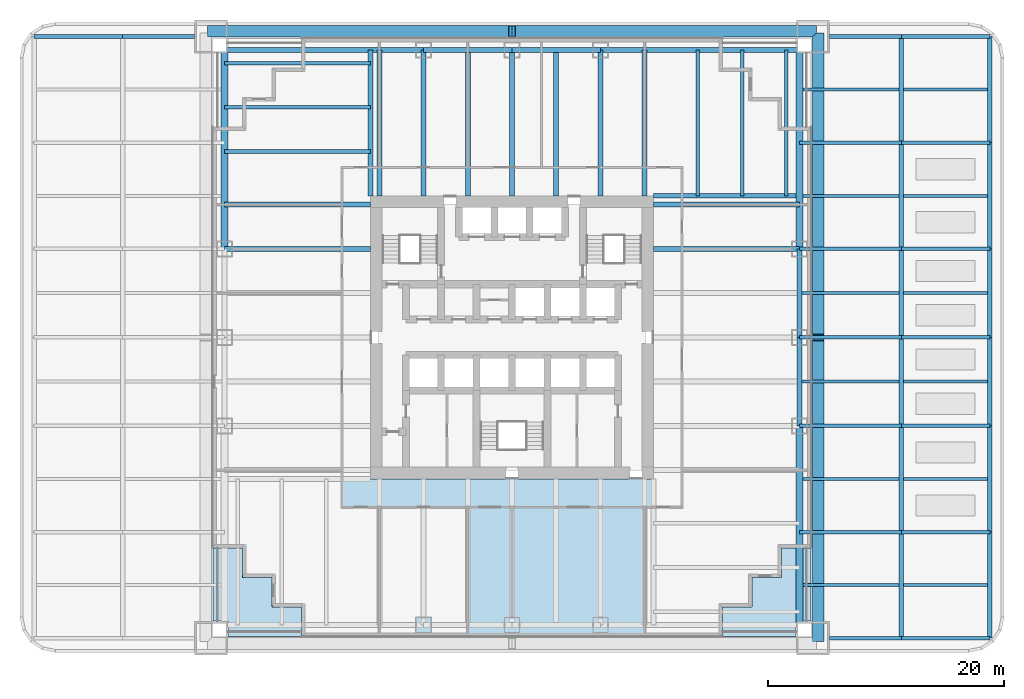
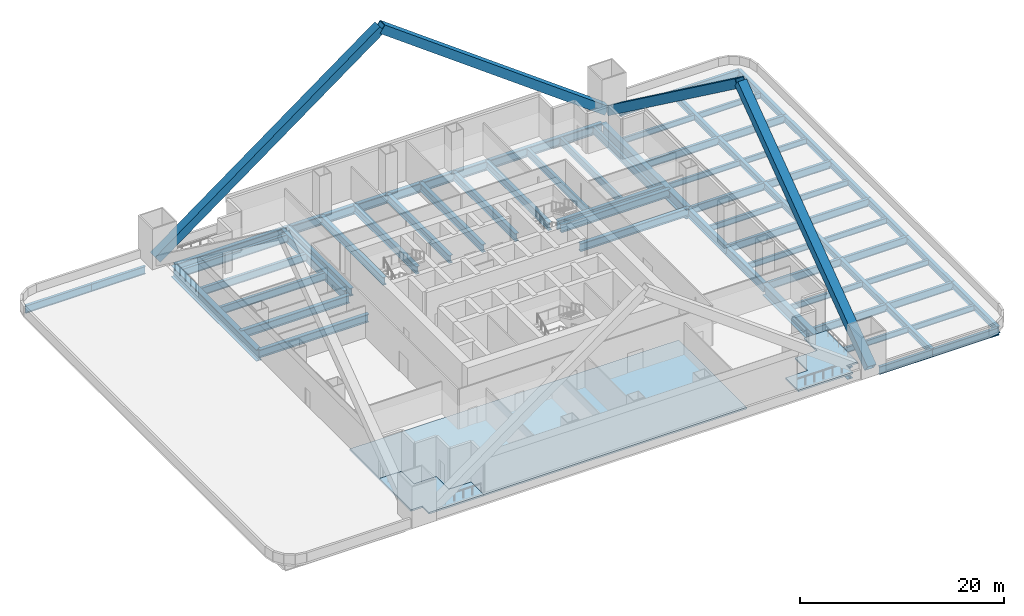
# One storey, part 2 of 10: 68 beams, 4 members, 3 slabs.
"""IFC4 building model written with IfcOpenShell, lengths in metres."""

from ifc_helpers import new_model, si_unit, direction, frame, origin, origin_2d, place, context, subcontext, project, spatial, polyline, hollow_rectangle, i_section, outline, extrude, material, layer, layer_set, material_profile, profile_set, type_object, element, save


model = new_model("IFC4")

# Units and contexts
model_context = context("Model", 3, precision=1e-05, world=origin(), true_north=direction((0.0, 1.0)))
body_context = subcontext(model_context, "Body", "Model", "MODEL_VIEW")
ifc_project = project(units=[si_unit("LENGTHUNIT", "METRE"), si_unit("AREAUNIT", "SQUARE_METRE"), si_unit("VOLUMEUNIT", "CUBIC_METRE"), si_unit("PLANEANGLEUNIT", "RADIAN"), si_unit("MASSUNIT", "GRAM", prefix="KILO")], contexts=[model_context])

# Site, building, storey
site_placement = place(None, origin())
site = spatial("IfcSite", under=ifc_project, at=site_placement, CompositionType="ELEMENT")
building_placement = place(site_placement, origin())
building = spatial("IfcBuilding", under=site, at=building_placement, Name="Tarangal Relay Tower", CompositionType="ELEMENT")
storey_placement = place(building_placement, frame((0.0, 0.0, 23.39990234375)))
storey = spatial("IfcBuildingStorey", under=building, at=storey_placement, Name="L04", CompositionType="ELEMENT", Elevation=23.39990234375)

# Beams
ifc_material_1 = material(Name="Steel ASTM A992", Category="steel")
ifc_material_profile_1 = material_profile(ifc_material_1, i_section(OverallWidth=0.307373046875, OverallDepth=0.927001953125, WebThickness=0.019287109375, FlangeThickness=0.031982421875, at=origin_2d()), Name="W36X194")
ifc_profile_set_1 = profile_set([ifc_material_profile_1], Name="Steel ASTM A992")
beam_type_1 = type_object("IfcBeamType", Name="Corner beam W36X194", PredefinedType="JOIST", material=ifc_profile_set_1)
for number, where, z_axis, x_axis, name in (
    (1, (15.75, 12.0, -0.66357421875), (0.0, 1.0, 0.0), (-1.0, 0.0, 0.0), "Corner beam CB10 N L04"),
    (2, (19.5, 12.0, -0.66357421875), (0.0, 1.0, 0.0), (-1.0, 0.0, 0.0), "Corner beam CB10 N L04"),
    (3, (23.25, 12.0, -0.66357421875), (0.0, 1.0, 0.0), (-1.0, 0.0, 0.0), "Corner beam CB10 N L04"),
    (4, (-12.0, 15.75, -0.66357421875), (-1.0, 0.0, 0.0), (0.0, -1.0, 0.0), "Corner beam CB10 W L04"),
    (5, (-12.0, 19.5, -0.66357421875), (-1.0, 0.0, 0.0), (0.0, -1.0, 0.0), "Corner beam CB10 W L04"),
    (6, (-12.0, 23.25, -0.66357421875), (-1.0, 0.0, 0.0), (0.0, -1.0, 0.0), "Corner beam CB10 W L04"),
):
    element("IfcBeam", number, at=place(storey_placement, frame(where, z_axis=z_axis, x_axis=x_axis)), inside=storey, type_object=beam_type_1, Name=name, PredefinedType="JOIST", context=body_context, shape_type="SweptSolid", body=[
        extrude(i_section(OverallWidth=0.307373046875, OverallDepth=0.927001953125, WebThickness=0.019287109375, FlangeThickness=0.031982421875, at=origin_2d()), origin(), (0.0, 0.0, 1.0), 12.364990234375),
    ])
ifc_material_profile_2 = material_profile(ifc_material_1, i_section(OverallWidth=0.40380859375, OverallDepth=1.036376953125, WebThickness=0.031005859375, FlangeThickness=0.0458984375, at=origin_2d()), Name="W40X331")
ifc_profile_set_2 = profile_set([ifc_material_profile_2], Name="Steel ASTM A992")
beam_type_2 = type_object("IfcBeamType", Name="Corner girder W40X331", PredefinedType="BEAM", material=ifc_profile_set_2)
beam_1_placement = place(storey_placement, frame((12.0, 12.0, -0.718017578125), z_axis=(1.0, 0.0, 0.0), x_axis=(0.0, 1.0, 0.0)))
element("IfcBeam", 7, at=beam_1_placement, inside=storey, type_object=beam_type_2, Name="Corner girder CG2 N L04", PredefinedType="BEAM", context=body_context, shape_type="SweptSolid", body=[
    extrude(i_section(OverallWidth=0.40380859375, OverallDepth=1.036376953125, WebThickness=0.031005859375, FlangeThickness=0.0458984375, at=origin_2d()), origin(), (0.0, 0.0, 1.0), 12.06494140625),
])
beam_2_placement = place(storey_placement, frame((-12.0, 12.0, -0.718017578125), z_axis=(0.0, 1.0, 0.0), x_axis=(-1.0, 0.0, 0.0)))
element("IfcBeam", 8, at=beam_2_placement, inside=storey, type_object=beam_type_2, Name="Corner girder CG2 W L04", PredefinedType="BEAM", context=body_context, shape_type="SweptSolid", body=[
    extrude(i_section(OverallWidth=0.40380859375, OverallDepth=1.036376953125, WebThickness=0.031005859375, FlangeThickness=0.0458984375, at=origin_2d()), origin(), (0.0, 0.0, 1.0), 12.364990234375),
])
ifc_material_profile_3 = material_profile(ifc_material_1, i_section(OverallWidth=0.42431640625, OverallDepth=1.09228515625, WebThickness=0.04541015625, FlangeThickness=0.08203125, at=origin_2d()), Name="W40X593")
ifc_profile_set_3 = profile_set([ifc_material_profile_3], Name="Steel ASTM A992")
beam_type_3 = type_object("IfcBeamType", Name="Edge girder W40X593", PredefinedType="SPANDREL", material=ifc_profile_set_3)
beam_3_placement = place(storey_placement, frame((-24.25, 24.364990234375, -0.74609375), z_axis=(1.0, 0.0, 0.0), x_axis=(0.0, 1.0, 0.0)))
element("IfcBeam", 9, at=beam_3_placement, inside=storey, type_object=beam_type_3, Name="Edge girder EG9 N L04", PredefinedType="SPANDREL", context=body_context, shape_type="SweptSolid", body=[
    extrude(i_section(OverallWidth=0.42431640625, OverallDepth=1.09228515625, WebThickness=0.04541015625, FlangeThickness=0.08203125, at=origin_2d()), origin(), (0.0, 0.0, 1.0), 16.75),
])
for number, where, z_axis, x_axis, name in (
    (10, (-7.5, 24.364990234375, -0.74609375), (1.0, 0.0, 0.0), (0.0, 1.0, 0.0), "Edge girder EG9 N L04"),
    (11, (0.0, 24.364990234375, -0.74609375), (1.0, 0.0, 0.0), (0.0, 1.0, 0.0), "Edge girder EG9 N L04"),
):
    element("IfcBeam", number, at=place(storey_placement, frame(where, z_axis=z_axis, x_axis=x_axis)), inside=storey, type_object=beam_type_3, Name=name, PredefinedType="SPANDREL", context=body_context, shape_type="SweptSolid", body=[
        extrude(i_section(OverallWidth=0.42431640625, OverallDepth=1.09228515625, WebThickness=0.04541015625, FlangeThickness=0.08203125, at=origin_2d()), origin(), (0.0, 0.0, 1.0), 7.5),
    ])
beam_4_placement = place(storey_placement, frame((7.5, 24.364990234375, -0.74609375), z_axis=(1.0, 0.0, 0.0), x_axis=(0.0, 1.0, 0.0)))
element("IfcBeam", 12, at=beam_4_placement, inside=storey, type_object=beam_type_3, Name="Edge girder EG9 N L04", PredefinedType="SPANDREL", context=body_context, shape_type="SweptSolid", body=[
    extrude(i_section(OverallWidth=0.42431640625, OverallDepth=1.09228515625, WebThickness=0.04541015625, FlangeThickness=0.08203125, at=origin_2d()), origin(), (0.0, 0.0, 1.0), 16.75),
])
for number, where, z_axis, x_axis, name in (
    (13, (24.364990234375, 7.5, -0.74609375), (0.0, -1.0, 0.0), (1.0, 0.0, 0.0), "Edge girder EG9 E L04"),
    (14, (24.364990234375, 0.0, -0.74609375), (0.0, -1.0, 0.0), (1.0, 0.0, 0.0), "Edge girder EG9 E L04"),
):
    element("IfcBeam", number, at=place(storey_placement, frame(where, z_axis=z_axis, x_axis=x_axis)), inside=storey, type_object=beam_type_3, Name=name, PredefinedType="SPANDREL", context=body_context, shape_type="SweptSolid", body=[
        extrude(i_section(OverallWidth=0.42431640625, OverallDepth=1.09228515625, WebThickness=0.04541015625, FlangeThickness=0.08203125, at=origin_2d()), origin(), (0.0, 0.0, 1.0), 7.5),
    ])
ifc_material_profile_4 = material_profile(ifc_material_1, i_section(OverallWidth=0.42431640625, OverallDepth=0.947509765625, WebThickness=0.02392578125, FlangeThickness=0.042724609375, at=origin_2d()), Name="W36X302")
ifc_profile_set_4 = profile_set([ifc_material_profile_4], Name="Steel ASTM A992")
beam_type_4 = type_object("IfcBeamType", Name="Floor beam W36X302", PredefinedType="BEAM", material=ifc_profile_set_4)
for number, where, z_axis, x_axis, name in (
    (15, (-11.25, 12.0, -0.673583984375), (0.0, 1.0, 0.0), (-1.0, 0.0, 0.0), "Floor beam RB10 N L04"),
    (16, (-7.5, 12.0, -0.673583984375), (0.0, 1.0, 0.0), (-1.0, 0.0, 0.0), "Floor beam RB10 N L04"),
    (17, (-3.75, 12.0, -0.673583984375), (0.0, 1.0, 0.0), (-1.0, 0.0, 0.0), "Floor beam RB10 N L04"),
    (18, (0.0, 12.0, -0.673583984375), (0.0, 1.0, 0.0), (-1.0, 0.0, 0.0), "Floor beam RB10 N L04"),
    (19, (3.75, 12.0, -0.673583984375), (0.0, 1.0, 0.0), (-1.0, 0.0, 0.0), "Floor beam RB10 N L04"),
    (20, (7.5, 12.0, -0.673583984375), (0.0, 1.0, 0.0), (-1.0, 0.0, 0.0), "Floor beam RB10 N L04"),
    (21, (11.25, 12.0, -0.673583984375), (0.0, 1.0, 0.0), (-1.0, 0.0, 0.0), "Floor beam RB10 N L04"),
    (22, (12.0, 11.25, -0.673583984375), (1.0, 0.0, 0.0), (0.0, 1.0, 0.0), "Floor beam RB10 E L04"),
    (23, (12.0, 7.5, -0.673583984375), (1.0, 0.0, 0.0), (0.0, 1.0, 0.0), "Floor beam RB10 E L04"),
    (24, (-12.0, 7.5, -0.673583984375), (-1.0, 0.0, 0.0), (0.0, -1.0, 0.0), "Floor beam RB10 W L04"),
    (25, (-12.0, 11.25, -0.673583984375), (-1.0, 0.0, 0.0), (0.0, -1.0, 0.0), "Floor beam RB10 W L04"),
):
    element("IfcBeam", number, at=place(storey_placement, frame(where, z_axis=z_axis, x_axis=x_axis)), inside=storey, type_object=beam_type_4, Name=name, PredefinedType="BEAM", context=body_context, shape_type="SweptSolid", body=[
        extrude(i_section(OverallWidth=0.42431640625, OverallDepth=0.947509765625, WebThickness=0.02392578125, FlangeThickness=0.042724609375, at=origin_2d()), origin(), (0.0, 0.0, 1.0), 12.364990234375),
    ])

# Members
ifc_material_2 = material(Name="Steel ASTM A572 Grade 50", Category="steel")
ifc_material_profile_5 = material_profile(ifc_material_2, hollow_rectangle(XDim=1.0, YDim=1.0, WallThickness=0.06005859375, at=origin_2d()), Name="BOX1000X1000X60")
ifc_profile_set_5 = profile_set([ifc_material_profile_5], Name="Steel ASTM A572 Grade 50")
member_type = type_object("IfcMemberType", Name="Mega brace BOX1000X1000X60", PredefinedType="BRACE", material=ifc_profile_set_5)
for number, where, z_axis, x_axis, name in (
    (26, (-25.5, 25.949951171875, 0.0), (0.805651012649, 0.0, 0.592390450478), (0.0, 1.0, 0.0), "Mega brace MB1 N face module 1"),
    (27, (25.5, 25.949951171875, 0.0), (-0.805651012649, 0.0, 0.592390450478), (0.0, -1.0, 0.0), "Mega brace MB1 N face module 1"),
    (28, (25.949951171875, 25.5, 0.0), (0.0, -0.805651012649, 0.592390450478), (1.0, 0.0, 0.0), "Mega brace MB1 E face module 1"),
    (29, (25.949951171875, -25.5, 0.0), (0.0, 0.805651012649, 0.592390450478), (-1.0, 0.0, 0.0), "Mega brace MB1 E face module 1"),
):
    element("IfcMember", number, at=place(storey_placement, frame(where, z_axis=z_axis, x_axis=x_axis)), inside=storey, type_object=member_type, Name=name, PredefinedType="BRACE", context=body_context, shape_type="SweptSolid", body=[
        extrude(hollow_rectangle(XDim=1.0, YDim=1.0, WallThickness=0.06005859375, at=origin_2d()), origin(), (0.0, 0.0, 1.0), 31.6513671875),
    ])

# Beams
ifc_material_profile_6 = material_profile(ifc_material_1, i_section(OverallWidth=0.3046875, OverallDepth=0.911865234375, WebThickness=0.015869140625, FlangeThickness=0.02392578125, at=origin_2d()), Name="W36X150")
ifc_profile_set_6 = profile_set([ifc_material_profile_6], Name="Steel ASTM A992")
beam_type_5 = type_object("IfcBeamType", Name="Podium beam W36X150", PredefinedType="BEAM", material=ifc_profile_set_6)
beam_5_placement = place(storey_placement, frame((-26.89990234375, 25.5, -0.656005859375), z_axis=(-1.0, 0.0, 0.0), x_axis=(0.0, -1.0, 0.0)))
element("IfcBeam", 30, at=beam_5_placement, inside=storey, type_object=beam_type_5, Name="Podium beam PB1 L04", PredefinedType="BEAM", context=body_context, shape_type="SweptSolid", body=[
    extrude(i_section(OverallWidth=0.3046875, OverallDepth=0.911865234375, WebThickness=0.015869140625, FlangeThickness=0.02392578125, at=origin_2d()), origin(), (0.0, 0.0, 1.0), 6.10009765625),
])
beam_6_placement = place(storey_placement, frame((-33.0, 25.5, -0.656005859375), z_axis=(-1.0, 0.0, 0.0), x_axis=(0.0, -1.0, 0.0)))
element("IfcBeam", 31, at=beam_6_placement, inside=storey, type_object=beam_type_5, Name="Podium beam PB1 L04", PredefinedType="BEAM", context=body_context, shape_type="SweptSolid", body=[
    extrude(i_section(OverallWidth=0.3046875, OverallDepth=0.911865234375, WebThickness=0.015869140625, FlangeThickness=0.02392578125, at=origin_2d()), origin(), (0.0, 0.0, 1.0), 7.5),
])
beam_7_placement = place(storey_placement, frame((26.89990234375, -25.5, -0.656005859375), z_axis=(1.0, 0.0, 0.0), x_axis=(0.0, 1.0, 0.0)))
element("IfcBeam", 32, at=beam_7_placement, inside=storey, type_object=beam_type_5, Name="Podium beam PB1 L04", PredefinedType="BEAM", context=body_context, shape_type="SweptSolid", body=[
    extrude(i_section(OverallWidth=0.3046875, OverallDepth=0.911865234375, WebThickness=0.015869140625, FlangeThickness=0.02392578125, at=origin_2d()), origin(), (0.0, 0.0, 1.0), 6.10009765625),
])
beam_8_placement = place(storey_placement, frame((33.0, -25.5, -0.656005859375), z_axis=(1.0, 0.0, 0.0), x_axis=(0.0, 1.0, 0.0)))
element("IfcBeam", 33, at=beam_8_placement, inside=storey, type_object=beam_type_5, Name="Podium beam PB1 L04", PredefinedType="BEAM", context=body_context, shape_type="SweptSolid", body=[
    extrude(i_section(OverallWidth=0.3046875, OverallDepth=0.911865234375, WebThickness=0.015869140625, FlangeThickness=0.02392578125, at=origin_2d()), origin(), (0.0, 0.0, 1.0), 7.5),
])
beam_9_placement = place(storey_placement, frame((24.364990234375, -16.5, -0.656005859375), z_axis=(1.0, 0.0, 0.0), x_axis=(0.0, 1.0, 0.0)))
element("IfcBeam", 34, at=beam_9_placement, inside=storey, type_object=beam_type_5, Name="Podium beam PB1 L04", PredefinedType="BEAM", context=body_context, shape_type="SweptSolid", body=[
    extrude(i_section(OverallWidth=0.3046875, OverallDepth=0.911865234375, WebThickness=0.015869140625, FlangeThickness=0.02392578125, at=origin_2d()), origin(), (0.0, 0.0, 1.0), 8.635009765625),
])
beam_10_placement = place(storey_placement, frame((33.0, -16.5, -0.656005859375), z_axis=(1.0, 0.0, 0.0), x_axis=(0.0, 1.0, 0.0)))
element("IfcBeam", 35, at=beam_10_placement, inside=storey, type_object=beam_type_5, Name="Podium beam PB1 L04", PredefinedType="BEAM", context=body_context, shape_type="SweptSolid", body=[
    extrude(i_section(OverallWidth=0.3046875, OverallDepth=0.911865234375, WebThickness=0.015869140625, FlangeThickness=0.02392578125, at=origin_2d()), origin(), (0.0, 0.0, 1.0), 7.5),
])
beam_11_placement = place(storey_placement, frame((24.364990234375, -7.5, -0.656005859375), z_axis=(1.0, 0.0, 0.0), x_axis=(0.0, 1.0, 0.0)))
element("IfcBeam", 36, at=beam_11_placement, inside=storey, type_object=beam_type_5, Name="Podium beam PB1 L04", PredefinedType="BEAM", context=body_context, shape_type="SweptSolid", body=[
    extrude(i_section(OverallWidth=0.3046875, OverallDepth=0.911865234375, WebThickness=0.015869140625, FlangeThickness=0.02392578125, at=origin_2d()), origin(), (0.0, 0.0, 1.0), 8.635009765625),
])
beam_12_placement = place(storey_placement, frame((33.0, -7.5, -0.656005859375), z_axis=(1.0, 0.0, 0.0), x_axis=(0.0, 1.0, 0.0)))
element("IfcBeam", 37, at=beam_12_placement, inside=storey, type_object=beam_type_5, Name="Podium beam PB1 L04", PredefinedType="BEAM", context=body_context, shape_type="SweptSolid", body=[
    extrude(i_section(OverallWidth=0.3046875, OverallDepth=0.911865234375, WebThickness=0.015869140625, FlangeThickness=0.02392578125, at=origin_2d()), origin(), (0.0, 0.0, 1.0), 7.5),
])
beam_13_placement = place(storey_placement, frame((24.364990234375, 0.0, -0.656005859375), z_axis=(1.0, 0.0, 0.0), x_axis=(0.0, 1.0, 0.0)))
element("IfcBeam", 38, at=beam_13_placement, inside=storey, type_object=beam_type_5, Name="Podium beam PB1 L04", PredefinedType="BEAM", context=body_context, shape_type="SweptSolid", body=[
    extrude(i_section(OverallWidth=0.3046875, OverallDepth=0.911865234375, WebThickness=0.015869140625, FlangeThickness=0.02392578125, at=origin_2d()), origin(), (0.0, 0.0, 1.0), 8.635009765625),
])
beam_14_placement = place(storey_placement, frame((33.0, 0.0, -0.656005859375), z_axis=(1.0, 0.0, 0.0), x_axis=(0.0, 1.0, 0.0)))
element("IfcBeam", 39, at=beam_14_placement, inside=storey, type_object=beam_type_5, Name="Podium beam PB1 L04", PredefinedType="BEAM", context=body_context, shape_type="SweptSolid", body=[
    extrude(i_section(OverallWidth=0.3046875, OverallDepth=0.911865234375, WebThickness=0.015869140625, FlangeThickness=0.02392578125, at=origin_2d()), origin(), (0.0, 0.0, 1.0), 7.5),
])
beam_15_placement = place(storey_placement, frame((24.364990234375, 7.5, -0.656005859375), z_axis=(1.0, 0.0, 0.0), x_axis=(0.0, 1.0, 0.0)))
element("IfcBeam", 40, at=beam_15_placement, inside=storey, type_object=beam_type_5, Name="Podium beam PB1 L04", PredefinedType="BEAM", context=body_context, shape_type="SweptSolid", body=[
    extrude(i_section(OverallWidth=0.3046875, OverallDepth=0.911865234375, WebThickness=0.015869140625, FlangeThickness=0.02392578125, at=origin_2d()), origin(), (0.0, 0.0, 1.0), 8.635009765625),
])
beam_16_placement = place(storey_placement, frame((33.0, 7.5, -0.656005859375), z_axis=(1.0, 0.0, 0.0), x_axis=(0.0, 1.0, 0.0)))
element("IfcBeam", 41, at=beam_16_placement, inside=storey, type_object=beam_type_5, Name="Podium beam PB1 L04", PredefinedType="BEAM", context=body_context, shape_type="SweptSolid", body=[
    extrude(i_section(OverallWidth=0.3046875, OverallDepth=0.911865234375, WebThickness=0.015869140625, FlangeThickness=0.02392578125, at=origin_2d()), origin(), (0.0, 0.0, 1.0), 7.5),
])
beam_17_placement = place(storey_placement, frame((24.364990234375, 16.5, -0.656005859375), z_axis=(1.0, 0.0, 0.0), x_axis=(0.0, 1.0, 0.0)))
element("IfcBeam", 42, at=beam_17_placement, inside=storey, type_object=beam_type_5, Name="Podium beam PB1 L04", PredefinedType="BEAM", context=body_context, shape_type="SweptSolid", body=[
    extrude(i_section(OverallWidth=0.3046875, OverallDepth=0.911865234375, WebThickness=0.015869140625, FlangeThickness=0.02392578125, at=origin_2d()), origin(), (0.0, 0.0, 1.0), 8.635009765625),
])
beam_18_placement = place(storey_placement, frame((33.0, 16.5, -0.656005859375), z_axis=(1.0, 0.0, 0.0), x_axis=(0.0, 1.0, 0.0)))
element("IfcBeam", 43, at=beam_18_placement, inside=storey, type_object=beam_type_5, Name="Podium beam PB1 L04", PredefinedType="BEAM", context=body_context, shape_type="SweptSolid", body=[
    extrude(i_section(OverallWidth=0.3046875, OverallDepth=0.911865234375, WebThickness=0.015869140625, FlangeThickness=0.02392578125, at=origin_2d()), origin(), (0.0, 0.0, 1.0), 7.5),
])
beam_19_placement = place(storey_placement, frame((26.89990234375, 25.5, -0.656005859375), z_axis=(1.0, 0.0, 0.0), x_axis=(0.0, 1.0, 0.0)))
element("IfcBeam", 44, at=beam_19_placement, inside=storey, type_object=beam_type_5, Name="Podium beam PB1 L04", PredefinedType="BEAM", context=body_context, shape_type="SweptSolid", body=[
    extrude(i_section(OverallWidth=0.3046875, OverallDepth=0.911865234375, WebThickness=0.015869140625, FlangeThickness=0.02392578125, at=origin_2d()), origin(), (0.0, 0.0, 1.0), 6.10009765625),
])
beam_20_placement = place(storey_placement, frame((33.0, 25.5, -0.656005859375), z_axis=(1.0, 0.0, 0.0), x_axis=(0.0, 1.0, 0.0)))
element("IfcBeam", 45, at=beam_20_placement, inside=storey, type_object=beam_type_5, Name="Podium beam PB1 L04", PredefinedType="BEAM", context=body_context, shape_type="SweptSolid", body=[
    extrude(i_section(OverallWidth=0.3046875, OverallDepth=0.911865234375, WebThickness=0.015869140625, FlangeThickness=0.02392578125, at=origin_2d()), origin(), (0.0, 0.0, 1.0), 7.5),
])
ifc_material_profile_7 = material_profile(ifc_material_1, i_section(OverallWidth=0.383544921875, OverallDepth=0.784912109375, WebThickness=0.019775390625, FlangeThickness=0.033447265625, at=origin_2d()), Name="W30X211")
ifc_profile_set_7 = profile_set([ifc_material_profile_7], Name="Steel ASTM A992")
beam_type_6 = type_object("IfcBeamType", Name="Podium girder W30X211", PredefinedType="BEAM", material=ifc_profile_set_7)
for number, where, z_axis, x_axis, name in (
    (46, (33.0, -25.5, -0.59228515625), (0.0, 1.0, 0.0), (-1.0, 0.0, 0.0), "Podium girder PG1 L04"),
    (47, (33.0, -16.5, -0.59228515625), (0.0, 1.0, 0.0), (-1.0, 0.0, 0.0), "Podium girder PG1 L04"),
):
    element("IfcBeam", number, at=place(storey_placement, frame(where, z_axis=z_axis, x_axis=x_axis)), inside=storey, type_object=beam_type_6, Name=name, PredefinedType="BEAM", context=body_context, shape_type="SweptSolid", body=[
        extrude(i_section(OverallWidth=0.383544921875, OverallDepth=0.784912109375, WebThickness=0.019775390625, FlangeThickness=0.033447265625, at=origin_2d()), origin(), (0.0, 0.0, 1.0), 9.0),
    ])
for number, where, z_axis, x_axis, name in (
    (48, (33.0, -7.5, -0.59228515625), (0.0, 1.0, 0.0), (-1.0, 0.0, 0.0), "Podium girder PG1 L04"),
    (49, (33.0, 0.0, -0.59228515625), (0.0, 1.0, 0.0), (-1.0, 0.0, 0.0), "Podium girder PG1 L04"),
):
    element("IfcBeam", number, at=place(storey_placement, frame(where, z_axis=z_axis, x_axis=x_axis)), inside=storey, type_object=beam_type_6, Name=name, PredefinedType="BEAM", context=body_context, shape_type="SweptSolid", body=[
        extrude(i_section(OverallWidth=0.383544921875, OverallDepth=0.784912109375, WebThickness=0.019775390625, FlangeThickness=0.033447265625, at=origin_2d()), origin(), (0.0, 0.0, 1.0), 7.5),
    ])
for number, where, z_axis, x_axis, name in (
    (50, (33.0, 7.5, -0.59228515625), (0.0, 1.0, 0.0), (-1.0, 0.0, 0.0), "Podium girder PG1 L04"),
    (51, (33.0, 16.5, -0.59228515625), (0.0, 1.0, 0.0), (-1.0, 0.0, 0.0), "Podium girder PG1 L04"),
    (52, (40.5, -25.5, -0.59228515625), (0.0, 1.0, 0.0), (-1.0, 0.0, 0.0), "Podium girder PG1 L04"),
    (53, (40.5, -16.5, -0.59228515625), (0.0, 1.0, 0.0), (-1.0, 0.0, 0.0), "Podium girder PG1 L04"),
):
    element("IfcBeam", number, at=place(storey_placement, frame(where, z_axis=z_axis, x_axis=x_axis)), inside=storey, type_object=beam_type_6, Name=name, PredefinedType="BEAM", context=body_context, shape_type="SweptSolid", body=[
        extrude(i_section(OverallWidth=0.383544921875, OverallDepth=0.784912109375, WebThickness=0.019775390625, FlangeThickness=0.033447265625, at=origin_2d()), origin(), (0.0, 0.0, 1.0), 9.0),
    ])
for number, where, z_axis, x_axis, name in (
    (54, (40.5, -7.5, -0.59228515625), (0.0, 1.0, 0.0), (-1.0, 0.0, 0.0), "Podium girder PG1 L04"),
    (55, (40.5, 0.0, -0.59228515625), (0.0, 1.0, 0.0), (-1.0, 0.0, 0.0), "Podium girder PG1 L04"),
):
    element("IfcBeam", number, at=place(storey_placement, frame(where, z_axis=z_axis, x_axis=x_axis)), inside=storey, type_object=beam_type_6, Name=name, PredefinedType="BEAM", context=body_context, shape_type="SweptSolid", body=[
        extrude(i_section(OverallWidth=0.383544921875, OverallDepth=0.784912109375, WebThickness=0.019775390625, FlangeThickness=0.033447265625, at=origin_2d()), origin(), (0.0, 0.0, 1.0), 7.5),
    ])
for number, where, z_axis, x_axis, name in (
    (56, (40.5, 7.5, -0.59228515625), (0.0, 1.0, 0.0), (-1.0, 0.0, 0.0), "Podium girder PG1 L04"),
    (57, (40.5, 16.5, -0.59228515625), (0.0, 1.0, 0.0), (-1.0, 0.0, 0.0), "Podium girder PG1 L04"),
):
    element("IfcBeam", number, at=place(storey_placement, frame(where, z_axis=z_axis, x_axis=x_axis)), inside=storey, type_object=beam_type_6, Name=name, PredefinedType="BEAM", context=body_context, shape_type="SweptSolid", body=[
        extrude(i_section(OverallWidth=0.383544921875, OverallDepth=0.784912109375, WebThickness=0.019775390625, FlangeThickness=0.033447265625, at=origin_2d()), origin(), (0.0, 0.0, 1.0), 9.0),
    ])
ifc_material_profile_8 = material_profile(ifc_material_1, i_section(OverallWidth=0.25390625, OverallDepth=0.683349609375, WebThickness=0.012451171875, FlangeThickness=0.018798828125, at=origin_2d()), Name="W27X94")
ifc_profile_set_8 = profile_set([ifc_material_profile_8], Name="Steel ASTM A992")
beam_type_7 = type_object("IfcBeamType", Name="Podium joist W27X94", PredefinedType="JOIST", material=ifc_profile_set_8)
beam_21_placement = place(storey_placement, frame((24.6650390625, -21.0, -0.54150390625), z_axis=(1.0, 0.0, 0.0), x_axis=(0.0, 1.0, 0.0)))
element("IfcBeam", 58, at=beam_21_placement, inside=storey, type_object=beam_type_7, Name="Podium joist PJ1 L04", PredefinedType="JOIST", context=body_context, shape_type="SweptSolid", body=[
    extrude(i_section(OverallWidth=0.25390625, OverallDepth=0.683349609375, WebThickness=0.012451171875, FlangeThickness=0.018798828125, at=origin_2d()), origin(), (0.0, 0.0, 1.0), 8.14404296875),
])
beam_22_placement = place(storey_placement, frame((33.19091796875, -21.0, -0.54150390625), z_axis=(1.0, 0.0, 0.0), x_axis=(0.0, 1.0, 0.0)))
element("IfcBeam", 59, at=beam_22_placement, inside=storey, type_object=beam_type_7, Name="Podium joist PJ1 L04", PredefinedType="JOIST", context=body_context, shape_type="SweptSolid", body=[
    extrude(i_section(OverallWidth=0.25390625, OverallDepth=0.683349609375, WebThickness=0.012451171875, FlangeThickness=0.018798828125, at=origin_2d()), origin(), (0.0, 0.0, 1.0), 7.1181640625),
])
beam_23_placement = place(storey_placement, frame((24.6650390625, -12.0, -0.54150390625), z_axis=(1.0, 0.0, 0.0), x_axis=(0.0, 1.0, 0.0)))
element("IfcBeam", 60, at=beam_23_placement, inside=storey, type_object=beam_type_7, Name="Podium joist PJ1 L04", PredefinedType="JOIST", context=body_context, shape_type="SweptSolid", body=[
    extrude(i_section(OverallWidth=0.25390625, OverallDepth=0.683349609375, WebThickness=0.012451171875, FlangeThickness=0.018798828125, at=origin_2d()), origin(), (0.0, 0.0, 1.0), 8.14404296875),
])
beam_24_placement = place(storey_placement, frame((33.19091796875, -12.0, -0.54150390625), z_axis=(1.0, 0.0, 0.0), x_axis=(0.0, 1.0, 0.0)))
element("IfcBeam", 61, at=beam_24_placement, inside=storey, type_object=beam_type_7, Name="Podium joist PJ1 L04", PredefinedType="JOIST", context=body_context, shape_type="SweptSolid", body=[
    extrude(i_section(OverallWidth=0.25390625, OverallDepth=0.683349609375, WebThickness=0.012451171875, FlangeThickness=0.018798828125, at=origin_2d()), origin(), (0.0, 0.0, 1.0), 7.1181640625),
])
beam_25_placement = place(storey_placement, frame((24.576904296875, -3.75, -0.54150390625), z_axis=(1.0, 0.0, 0.0), x_axis=(0.0, 1.0, 0.0)))
element("IfcBeam", 62, at=beam_25_placement, inside=storey, type_object=beam_type_7, Name="Podium joist PJ1 L04", PredefinedType="JOIST", context=body_context, shape_type="SweptSolid", body=[
    extrude(i_section(OverallWidth=0.25390625, OverallDepth=0.683349609375, WebThickness=0.012451171875, FlangeThickness=0.018798828125, at=origin_2d()), origin(), (0.0, 0.0, 1.0), 8.232177734375),
])
beam_26_placement = place(storey_placement, frame((33.19091796875, -3.75, -0.54150390625), z_axis=(1.0, 0.0, 0.0), x_axis=(0.0, 1.0, 0.0)))
element("IfcBeam", 63, at=beam_26_placement, inside=storey, type_object=beam_type_7, Name="Podium joist PJ1 L04", PredefinedType="JOIST", context=body_context, shape_type="SweptSolid", body=[
    extrude(i_section(OverallWidth=0.25390625, OverallDepth=0.683349609375, WebThickness=0.012451171875, FlangeThickness=0.018798828125, at=origin_2d()), origin(), (0.0, 0.0, 1.0), 7.1181640625),
])
beam_27_placement = place(storey_placement, frame((24.576904296875, 3.75, -0.54150390625), z_axis=(1.0, 0.0, 0.0), x_axis=(0.0, 1.0, 0.0)))
element("IfcBeam", 64, at=beam_27_placement, inside=storey, type_object=beam_type_7, Name="Podium joist PJ1 L04", PredefinedType="JOIST", context=body_context, shape_type="SweptSolid", body=[
    extrude(i_section(OverallWidth=0.25390625, OverallDepth=0.683349609375, WebThickness=0.012451171875, FlangeThickness=0.018798828125, at=origin_2d()), origin(), (0.0, 0.0, 1.0), 8.232177734375),
])
beam_28_placement = place(storey_placement, frame((33.19091796875, 3.75, -0.54150390625), z_axis=(1.0, 0.0, 0.0), x_axis=(0.0, 1.0, 0.0)))
element("IfcBeam", 65, at=beam_28_placement, inside=storey, type_object=beam_type_7, Name="Podium joist PJ1 L04", PredefinedType="JOIST", context=body_context, shape_type="SweptSolid", body=[
    extrude(i_section(OverallWidth=0.25390625, OverallDepth=0.683349609375, WebThickness=0.012451171875, FlangeThickness=0.018798828125, at=origin_2d()), origin(), (0.0, 0.0, 1.0), 7.1181640625),
])
beam_29_placement = place(storey_placement, frame((24.6650390625, 12.0, -0.54150390625), z_axis=(1.0, 0.0, 0.0), x_axis=(0.0, 1.0, 0.0)))
element("IfcBeam", 66, at=beam_29_placement, inside=storey, type_object=beam_type_7, Name="Podium joist PJ1 L04", PredefinedType="JOIST", context=body_context, shape_type="SweptSolid", body=[
    extrude(i_section(OverallWidth=0.25390625, OverallDepth=0.683349609375, WebThickness=0.012451171875, FlangeThickness=0.018798828125, at=origin_2d()), origin(), (0.0, 0.0, 1.0), 8.14404296875),
])
beam_30_placement = place(storey_placement, frame((33.19091796875, 12.0, -0.54150390625), z_axis=(1.0, 0.0, 0.0), x_axis=(0.0, 1.0, 0.0)))
element("IfcBeam", 67, at=beam_30_placement, inside=storey, type_object=beam_type_7, Name="Podium joist PJ1 L04", PredefinedType="JOIST", context=body_context, shape_type="SweptSolid", body=[
    extrude(i_section(OverallWidth=0.25390625, OverallDepth=0.683349609375, WebThickness=0.012451171875, FlangeThickness=0.018798828125, at=origin_2d()), origin(), (0.0, 0.0, 1.0), 7.1181640625),
])
beam_31_placement = place(storey_placement, frame((24.6650390625, 21.0, -0.54150390625), z_axis=(1.0, 0.0, 0.0), x_axis=(0.0, 1.0, 0.0)))
element("IfcBeam", 68, at=beam_31_placement, inside=storey, type_object=beam_type_7, Name="Podium joist PJ1 L04", PredefinedType="JOIST", context=body_context, shape_type="SweptSolid", body=[
    extrude(i_section(OverallWidth=0.25390625, OverallDepth=0.683349609375, WebThickness=0.012451171875, FlangeThickness=0.018798828125, at=origin_2d()), origin(), (0.0, 0.0, 1.0), 8.14404296875),
])
beam_32_placement = place(storey_placement, frame((33.19091796875, 21.0, -0.54150390625), z_axis=(1.0, 0.0, 0.0), x_axis=(0.0, 1.0, 0.0)))
element("IfcBeam", 69, at=beam_32_placement, inside=storey, type_object=beam_type_7, Name="Podium joist PJ1 L04", PredefinedType="JOIST", context=body_context, shape_type="SweptSolid", body=[
    extrude(i_section(OverallWidth=0.25390625, OverallDepth=0.683349609375, WebThickness=0.012451171875, FlangeThickness=0.018798828125, at=origin_2d()), origin(), (0.0, 0.0, 1.0), 7.1181640625),
])
ifc_material_profile_9 = material_profile(ifc_material_2, i_section(OverallWidth=0.60009765625, OverallDepth=1.39990234375, WebThickness=0.030029296875, FlangeThickness=0.080078125, at=origin_2d()), Name="PG1400X600X80X30")
ifc_profile_set_9 = profile_set([ifc_material_profile_9], Name="Steel ASTM A572 Grade 50")
beam_type_8 = type_object("IfcBeamType", Name="Transfer girder PG1400X600X80X30", PredefinedType="SPANDREL", material=ifc_profile_set_9)
for number, where, z_axis, x_axis, name in (
    (70, (24.364990234375, 24.25, -0.89990234375), (0.0, -1.0, 0.0), (1.0, 0.0, 0.0), "Transfer girder TG1 E L04"),
    (71, (24.364990234375, -7.5, -0.89990234375), (0.0, -1.0, 0.0), (1.0, 0.0, 0.0), "Transfer girder TG1 E L04"),
    (72, (-24.364990234375, 7.5, -0.89990234375), (0.0, 1.0, 0.0), (-1.0, 0.0, 0.0), "Transfer girder TG1 W L04"),
):
    element("IfcBeam", number, at=place(storey_placement, frame(where, z_axis=z_axis, x_axis=x_axis)), inside=storey, type_object=beam_type_8, Name=name, PredefinedType="SPANDREL", context=body_context, shape_type="SweptSolid", body=[
        extrude(i_section(OverallWidth=0.60009765625, OverallDepth=1.39990234375, WebThickness=0.030029296875, FlangeThickness=0.080078125, at=origin_2d()), origin(), (0.0, 0.0, 1.0), 16.75),
    ])

# Slabs
ifc_material_3 = material(Name="Concrete fc' 35 MPa", Category="concrete")
ifc_layer_1 = layer(ifc_material_3, 0.199951171875)
ifc_layer_set_1 = layer_set([ifc_layer_1], Name="Floor slab 200")
slab_type_1 = type_object("IfcSlabType", Name="Floor slab 200", PredefinedType="FLOOR", material=ifc_layer_set_1)
slab_1_placement = place(storey_placement, frame((0.0, 0.0, -0.199951171875)))
element("IfcSlab", 73, at=slab_1_placement, inside=storey, type_object=slab_type_1, Name="Floor slab FS2 L04 south bay", PredefinedType="FLOOR", context=body_context, shape_type="SweptSolid", body=[
    extrude(outline(polyline([(-17.85009765625, -25.35009765625), (-17.85009765625, -22.85009765625), (-20.35009765625, -22.85009765625), (-20.35009765625, -20.35009765625), (-22.85009765625, -20.35009765625), (-22.85009765625, -17.85009765625), (-25.35009765625, -17.85009765625), (-25.35009765625, -12.0), (12.0, -12.0), (12.0, -25.35009765625), (-17.85009765625, -25.35009765625)])), origin(), (0.0, 0.0, 1.0), 0.199951171875),
])
ifc_layer_2 = layer(ifc_material_3, 0.199951171875)
ifc_layer_set_2 = layer_set([ifc_layer_2], Name="Terrace slab 200")
slab_type_2 = type_object("IfcSlabType", Name="Terrace slab 200", PredefinedType="FLOOR", material=ifc_layer_set_2)
slab_2_placement = place(storey_placement, frame((0.0, 0.0, -0.199951171875)))
element("IfcSlab", 74, at=slab_2_placement, inside=storey, type_object=slab_type_2, Name="Corner terrace SE L04", PredefinedType="FLOOR", context=body_context, shape_type="SweptSolid", body=[
    extrude(outline(polyline([(25.35009765625, -17.85009765625), (22.85009765625, -17.85009765625), (22.85009765625, -20.35009765625), (20.35009765625, -20.35009765625), (20.35009765625, -22.85009765625), (17.85009765625, -22.85009765625), (17.85009765625, -25.35009765625), (24.050048828125, -25.35009765625), (24.050048828125, -24.050048828125), (25.35009765625, -24.050048828125), (25.35009765625, -17.85009765625)])), origin(), (0.0, 0.0, 1.0), 0.199951171875),
])
slab_3_placement = place(storey_placement, frame((0.0, 0.0, -0.199951171875)))
element("IfcSlab", 75, at=slab_3_placement, inside=storey, type_object=slab_type_2, Name="Corner terrace SW L04", PredefinedType="FLOOR", context=body_context, shape_type="SweptSolid", body=[
    extrude(outline(polyline([(-17.85009765625, -25.35009765625), (-17.85009765625, -22.85009765625), (-20.35009765625, -22.85009765625), (-20.35009765625, -20.35009765625), (-22.85009765625, -20.35009765625), (-22.85009765625, -17.85009765625), (-25.35009765625, -17.85009765625), (-25.35009765625, -24.050048828125), (-24.050048828125, -24.050048828125), (-24.050048828125, -25.35009765625), (-17.85009765625, -25.35009765625)])), origin(), (0.0, 0.0, 1.0), 0.199951171875),
])

save(model, "model.ifc")
